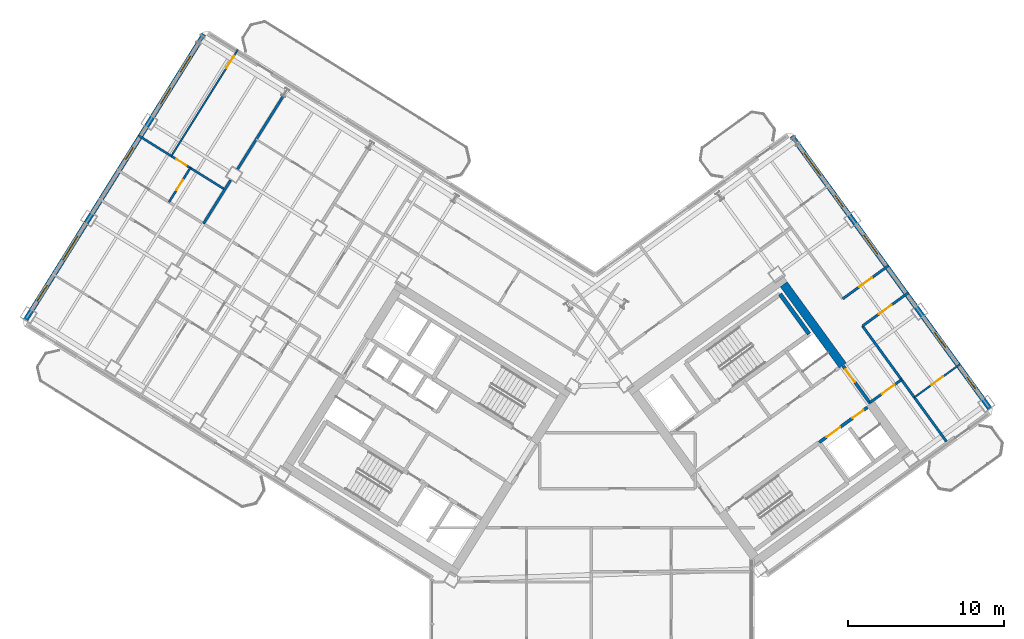
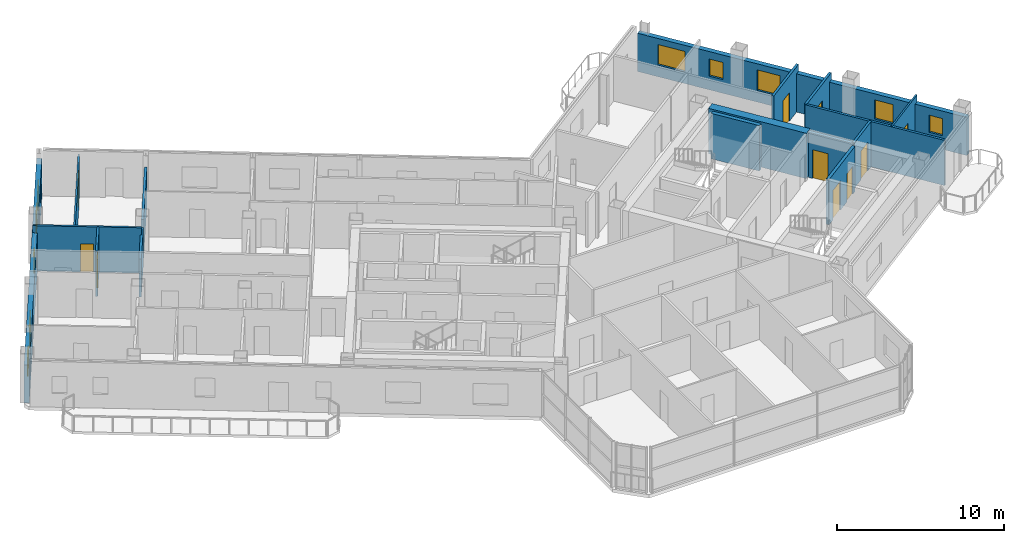
# One storey, part 15 of 21: 16 walls, 10 doors, 10 windows, 20 openings.
"""IFC4 building model written with IfcOpenShell, lengths in metres."""

import ifcopenshell
import ifcopenshell.guid

model = None  # the IFC model being written
_history = None  # IfcOwnerHistory: only IFC2X3 demands one
_inside = {}  # id of a spatial element -> (the spatial element, [elements in it])
_under = {}  # id of a project, library or spatial element -> (it, [spatial elements below it])
_declared = {}  # id of a project -> (the project, [libraries it declares])
_typed = {}  # id of a type object -> (the type object, [elements of that type])
_made_of = {}  # id of a material, layer set ... -> (it, [elements and type objects made of it])


def new_model(schema):
    """Start an empty IFC model of exactly this schema.

    Asked for "IFC4X3", IfcOpenShell would pick the latest addendum, in which some entities
    have other attributes; the version numbers below select the first issue.
    IFC2X3 requires an IfcOwnerHistory on every rooted entity: one is made here for all.
    """
    global model, _history
    if schema == "IFC4X3":
        model = ifcopenshell.file(schema_version=(4, 3, 0, 0))
    else:
        model = ifcopenshell.file(schema=schema)
    _inside.clear()
    _under.clear()
    _declared.clear()
    _typed.clear()
    _made_of.clear()
    _history = None
    if model.schema == "IFC2X3":
        org = make("IfcOrganization", Name="unknown")
        user = make(
            "IfcPersonAndOrganization",
            ThePerson=make("IfcPerson", FamilyName="unknown"),
            TheOrganization=org,
        )
        app = make(
            "IfcApplication",
            ApplicationDeveloper=org,
            Version="unknown",
            ApplicationFullName="unknown",
            ApplicationIdentifier="unknown",
        )
        _history = make(
            "IfcOwnerHistory",
            OwningUser=user,
            OwningApplication=app,
            ChangeAction="ADDED",
            CreationDate=0,
        )
    return model


def make(cls, **values):
    """One entity of the class cls with the attributes given. An attribute that is None is left unset."""
    return model.create_entity(
        cls, **{name: value for name, value in values.items() if value is not None}
    )


def rooted(cls, **values):
    """An entity with a GlobalId (a new one), such as an element, a storey or a relation."""
    return make(cls, GlobalId=ifcopenshell.guid.new(), OwnerHistory=_history, **values)


def si_unit(unit_type, name, prefix=None):
    """IfcSIUnit, for example si_unit("LENGTHUNIT", "METRE", prefix="MILLI")."""
    return make("IfcSIUnit", UnitType=unit_type, Prefix=prefix, Name=name)


def assignment(units):
    """IfcUnitAssignment: the units of a project."""
    return None if units is None else make("IfcUnitAssignment", Units=units)


def point(xyz):
    """IfcCartesianPoint."""
    return None if xyz is None else make("IfcCartesianPoint", Coordinates=xyz)


def direction(xyz):
    """IfcDirection."""
    return None if xyz is None else make("IfcDirection", DirectionRatios=xyz)


def frame(location, z_axis=None, x_axis=None):
    """IfcAxis2Placement3D, a coordinate frame: its origin and axes. An axis left out is left unset."""
    return make(
        "IfcAxis2Placement3D",
        Location=point(location),
        Axis=direction(z_axis),
        RefDirection=direction(x_axis),
    )


def frame_2d(location, x_axis=None):
    """IfcAxis2Placement2D, a coordinate frame in the plane: its origin and x axis."""
    return make(
        "IfcAxis2Placement2D", Location=point(location), RefDirection=direction(x_axis)
    )


def origin():
    """The frame at (0, 0, 0) with its axes left unset."""
    return frame((0.0, 0.0, 0.0))


def place(relative_to, where):
    """IfcLocalPlacement: puts the frame where relative to a parent placement (None: the world)."""
    return make(
        "IfcLocalPlacement", PlacementRelTo=relative_to, RelativePlacement=where
    )


def context(
    kind, dimensions, precision=None, world=None, true_north=None, identifier=None
):
    """IfcGeometricRepresentationContext, for example the 3D "Model" context."""
    return make(
        "IfcGeometricRepresentationContext",
        ContextIdentifier=identifier,
        ContextType=kind,
        CoordinateSpaceDimension=dimensions,
        Precision=precision,
        WorldCoordinateSystem=world,
        TrueNorth=true_north,
    )


def subcontext(parent, identifier, kind, view, scale=None):
    """IfcGeometricRepresentationSubContext, for example "Body" below "Model"."""
    return make(
        "IfcGeometricRepresentationSubContext",
        ContextIdentifier=identifier,
        ContextType=kind,
        ParentContext=parent,
        TargetScale=scale,
        TargetView=view,
    )


def project(units=None, contexts=None):
    """IfcProject with its units and contexts."""
    return rooted(
        "IfcProject",
        Name="project",
        RepresentationContexts=contexts,
        UnitsInContext=assignment(units),
    )


def spatial(cls, under=None, at=None, **own):
    """A site, building, storey or space (cls), placed at a placement, below another one or the project."""
    s = rooted(cls, ObjectPlacement=at, **own)
    if under is not None:
        _under.setdefault(under.id(), (under, []))[1].append(s)
    return s


def profile(cls, at=None, kind="AREA", **sizes):
    """A parametric profile (cls). Its sizes go by their IFC names, for example OverallWidth=200.0."""
    return make(cls, ProfileType=kind, Position=at, **sizes)


def rectangle(**sizes):
    """IfcRectangleProfileDef."""
    return profile("IfcRectangleProfileDef", **sizes)


def extrude(swept, where, along, depth):
    """IfcExtrudedAreaSolid: the profile swept, set in the frame where, extruded along a direction by depth."""
    return make(
        "IfcExtrudedAreaSolid",
        SweptArea=swept,
        Position=where,
        ExtrudedDirection=direction(along),
        Depth=depth,
    )


def shape(context_of_items, identifier, shape_type, items):
    """IfcShapeRepresentation: the items that make up one representation, for example the "Body"."""
    return make(
        "IfcShapeRepresentation",
        ContextOfItems=context_of_items,
        RepresentationIdentifier=identifier,
        RepresentationType=shape_type,
        Items=items,
    )


def source(mapping_origin, context_of_items, identifier, shape_type, items):
    """IfcRepresentationMap: a shape defined once, which mapped items show again and again."""
    return make(
        "IfcRepresentationMap",
        MappingOrigin=mapping_origin,
        MappedRepresentation=shape(context_of_items, identifier, shape_type, items),
    )


def transform(
    local_origin,
    x_axis=None,
    y_axis=None,
    z_axis=None,
    scale=None,
    scale2=None,
    scale3=None,
    uniform=True,
):
    """IfcCartesianTransformationOperator3D, or its non-uniform kind. x_axis, y_axis, z_axis: its Axis1, 2, 3."""
    if uniform:
        return make(
            "IfcCartesianTransformationOperator3D",
            Axis1=direction(x_axis),
            Axis2=direction(y_axis),
            LocalOrigin=point(local_origin),
            Scale=scale,
            Axis3=direction(z_axis),
        )
    return make(
        "IfcCartesianTransformationOperator3DnonUniform",
        Axis1=direction(x_axis),
        Axis2=direction(y_axis),
        LocalOrigin=point(local_origin),
        Scale=scale,
        Axis3=direction(z_axis),
        Scale2=scale2,
        Scale3=scale3,
    )


def mapped(mapping_source, mapping_target):
    """IfcMappedItem: shows the shape of a source again, moved by a transform."""
    return make(
        "IfcMappedItem", MappingSource=mapping_source, MappingTarget=mapping_target
    )


def material(Name=None, Category=None):
    """IfcMaterial."""
    return make("IfcMaterial", Name=Name, Category=Category)


def layer(
    of_material, thickness, ventilated=None, Name=None, Category=None, Priority=None
):
    """IfcMaterialLayer: one layer of a wall or slab, of a material (None: an air gap)."""
    return make(
        "IfcMaterialLayer",
        Material=of_material,
        LayerThickness=thickness,
        IsVentilated=ventilated,
        Name=Name,
        Category=Category,
        Priority=Priority,
    )


def layer_set(layers, Name=None):
    """IfcMaterialLayerSet."""
    return make("IfcMaterialLayerSet", MaterialLayers=layers, LayerSetName=Name)


def made_of(thing, what):
    """Note that an element or type object is made of a material, layer set ...; save() writes the relation."""
    if what is not None:
        _made_of.setdefault(what.id(), (what, []))[1].append(thing)
    return thing


def type_object(cls, material=None, **own):
    """A type object (cls), such as IfcWallType, which elements share."""
    return made_of(rooted(cls, **own), material)


def element(
    cls,
    number,
    at=None,
    inside=None,
    cuts=None,
    type_object=None,
    material=None,
    context=None,
    identifier="Body",
    shape_type=None,
    held_by="IfcProductDefinitionShape",
    body=None,
    shapes=None,
    **own,
):
    """One element of the class cls, such as IfcWall. Its Tag is "e" and its number.

    at: its placement. inside: the storey or other place that contains it. cuts: it is an
    opening in that element (IfcRelVoidsElement). A single representation is given by context,
    identifier, shape_type and body (its items); several are given by shapes. held_by: the class
    of the entity that holds the representations. save() writes the other relations.
    """
    e = rooted(cls, Tag="e%d" % number, ObjectPlacement=at, **own)
    if body is not None:
        shapes = [shape(context, identifier, shape_type, body)]
    if shapes is not None:
        e.Representation = make(held_by, Representations=shapes)
    if inside is not None:
        _inside.setdefault(inside.id(), (inside, []))[1].append(e)
    if cuts is not None:
        rooted(
            "IfcRelVoidsElement", RelatingBuildingElement=cuts, RelatedOpeningElement=e
        )
    if type_object is not None:
        _typed.setdefault(type_object.id(), (type_object, []))[1].append(e)
    return made_of(e, material)


def fill(opening, filler):
    """IfcRelFillsElement: the door or window that sits in an opening."""
    return rooted(
        "IfcRelFillsElement",
        RelatingOpeningElement=opening,
        RelatedBuildingElement=filler,
    )


def aggregate(whole, parts):
    """IfcRelAggregates: a whole, such as a stair, and the parts it consists of."""
    return rooted("IfcRelAggregates", RelatingObject=whole, RelatedObjects=parts)


def save(model, path):
    """Write the relations noted so far, then the file.

    IfcRelAggregates (storeys below a building ...), IfcRelContainedInSpatialStructure (elements
    in a storey), IfcRelDefinesByType, IfcRelAssociatesMaterial and IfcRelDeclares: one each for
    every whole, place, type object, material and project.
    """
    for whole, parts in _under.values():
        aggregate(whole, parts)
    for where, things in _inside.values():
        rooted(
            "IfcRelContainedInSpatialStructure",
            RelatedElements=things,
            RelatingStructure=where,
        )
    for kind, things in _typed.values():
        rooted("IfcRelDefinesByType", RelatedObjects=things, RelatingType=kind)
    for what, things in _made_of.values():
        rooted("IfcRelAssociatesMaterial", RelatedObjects=things, RelatingMaterial=what)
    for by, libraries in _declared.values():
        rooted("IfcRelDeclares", RelatingContext=by, RelatedDefinitions=libraries)
    model.write(path)


model = new_model("IFC4")

# Units and contexts
model_context = context("Model", 3, precision=1e-05, world=origin(), true_north=direction((0.0, 1.0)))
body_context = subcontext(model_context, "Body", "Model", "MODEL_VIEW")
ifc_project = project(units=[si_unit("LENGTHUNIT", "METRE"), si_unit("AREAUNIT", "SQUARE_METRE"), si_unit("VOLUMEUNIT", "CUBIC_METRE"), si_unit("PLANEANGLEUNIT", "RADIAN"), si_unit("MASSUNIT", "GRAM", prefix="KILO")], contexts=[model_context])

# Site, building, storey
site_placement = place(None, origin())
site = spatial("IfcSite", under=ifc_project, at=site_placement, CompositionType="ELEMENT")
building_placement = place(site_placement, origin())
building = spatial("IfcBuilding", under=site, at=building_placement, Name="Tlacorven Tower", CompositionType="ELEMENT")
storey_placement = place(building_placement, frame((0.0, 0.0, 191.39990234375)))
storey = spatial("IfcBuildingStorey", under=building, at=storey_placement, Name="L48", CompositionType="ELEMENT", Elevation=191.39990234375)

# Walls
ifc_material_1 = material(Name="Concrete C60/75", Category="concrete")
ifc_layer_1 = layer(ifc_material_1, 0.550048828125)
ifc_layer_set_1 = layer_set([ifc_layer_1], Name="Concrete C60/75")
wall_type_1 = type_object("IfcWallType", Name="WL-COR-550", PredefinedType="SHEAR", material=ifc_layer_set_1)
wall_1_placement = place(storey_placement, frame((58.06396484375, 25.8134765625, 0.0), z_axis=(0.0, 0.0, 1.0), x_axis=(-0.587764933797, 0.809031756236, 0.0)))
element("IfcWall", 1, at=wall_1_placement, inside=storey, type_object=wall_type_1, Name="L48 E core end wall E2.2", PredefinedType="SHEAR", context=body_context, shape_type="SweptSolid", body=[
    extrude(rectangle(XDim=6.425048828125, YDim=0.550048828125, at=frame_2d((3.21240234375, 0.0))), origin(), (0.0, 0.0, 1.0), 3.320068359375),
])
ifc_material_2 = material(Name="Gypsum plasterboard acoustic partition", Category="gypsum")
ifc_layer_2 = layer(ifc_material_2, 0.159912109375)
ifc_layer_set_2 = layer_set([ifc_layer_2], Name="Gypsum plasterboard acoustic partition")
wall_type_2 = type_object("IfcWallType", Name="WL-DEM-160", PredefinedType="PARTITIONING", material=ifc_layer_set_2)
wall_2_placement = place(storey_placement, frame((22.206298828125, 43.048828125, 0.0), z_axis=(0.0, 0.0, 1.0), x_axis=(-0.529919150083, -0.848048167486, 0.0)))
element("IfcWall", 2, at=wall_2_placement, inside=storey, type_object=wall_type_2, Name="L48 WS Demising Wall 2", PredefinedType="PARTITIONING", context=body_context, shape_type="SweptSolid", body=[
    extrude(rectangle(XDim=5.5009765625, YDim=0.159912109375, at=frame_2d((2.75048828125, 0.0))), origin(), (0.0, 0.0, 1.0), 2.795166015625),
])
wall_3_placement = place(storey_placement, frame((18.8544921875, 37.684814453125, 0.0), z_axis=(0.0, 0.0, 1.0), x_axis=(-0.529885466561, -0.848069214349, 0.0)))
element("IfcWall", 3, at=wall_3_placement, inside=storey, type_object=wall_type_2, Name="L48 WS Demising Wall 2", PredefinedType="PARTITIONING", context=body_context, shape_type="SweptSolid", body=[
    extrude(rectangle(XDim=3.287841796875, YDim=0.159912109375, at=frame_2d((1.64404296875, 0.0))), origin(), (0.0, 0.0, 1.0), 2.795166015625),
])

# Wall, opening, door
wall_4_placement = place(storey_placement, frame((59.7978515625, 23.427001953125, 0.0), z_axis=(0.0, 0.0, 1.0), x_axis=(0.809034604122, 0.587761013791, 0.0)))
wall_4 = element("IfcWall", 4, at=wall_4_placement, inside=storey, type_object=wall_type_2, Name="L48 partition 87", PredefinedType="PARTITIONING", context=body_context, shape_type="SweptSolid", body=[
    extrude(rectangle(XDim=2.510009765625, YDim=0.159912109375, at=frame_2d((1.2548828125, 0.0))), origin(), (0.0, 0.0, 1.0), 3.31005859375),
])
opening_1_placement = place(wall_4_placement, frame((0.949951171875, 0.0, 0.0)))
opening_1 = element("IfcOpeningElement", 5, at=opening_1_placement, cuts=wall_4, Name="Opening D11", PredefinedType="OPENING", context=body_context, shape_type="SweptSolid", body=[
    extrude(rectangle(XDim=1.0, YDim=2.10009765625, at=frame_2d((0.5, 1.050048828125))), frame((0.0, 0.08984375, 0.0), z_axis=(0.0, -1.0, 0.0), x_axis=(1.0, 0.0, 0.0)), (0.0, 0.0, 1.0), 0.179931640625),
])
ifc_material_3 = material(Name="Fire-rated steel door assembly", Category="steel")
door_type_1 = type_object("IfcDoorType", Name="DR-FLT-FD60-1000", OperationType="NOTDEFINED", PredefinedType="DOOR", material=ifc_material_3)
shared_shape_1 = source(origin(), body_context, "Body", "SweptSolid", [
    extrude(rectangle(XDim=1.0, YDim=2.10009765625, at=frame_2d((0.5, 1.050048828125))), frame((0.0, 0.02490234375, 0.0), z_axis=(0.0, -1.0, 0.0), x_axis=(1.0, 0.0, 0.0)), (0.0, 0.0, 1.0), 0.050048828125),
])
door_1_placement = place(opening_1_placement, frame((1.0, 0.0, 0.0), z_axis=(0.0, 0.0, 1.0), x_axis=(-1.0, 0.0, 0.0)))
door_1 = element("IfcDoor", 6, at=door_1_placement, inside=storey, type_object=door_type_1, Name="L48 door 056", OperationType="SINGLE_SWING_LEFT", OverallHeight=2.10009765625, OverallWidth=1.0, PredefinedType="DOOR", context=body_context, shape_type="MappedRepresentation", body=[
    mapped(shared_shape_1, transform((0.0, 0.0, 0.0), scale=1.0)),
])
fill(opening_1, door_1)

# Wall
wall_5_placement = place(storey_placement, frame((64.708740234375, 20.93798828125, 0.0), z_axis=(0.0, 0.0, 1.0), x_axis=(-0.587776590479, 0.80902328748, 0.0)))
element("IfcWall", 7, at=wall_5_placement, inside=storey, type_object=wall_type_2, Name="L48 partition 89", PredefinedType="PARTITIONING", context=body_context, shape_type="SweptSolid", body=[
    extrude(rectangle(XDim=9.150146484375, YDim=0.159912109375, at=frame_2d((4.5751953125, 0.0))), origin(), (0.0, 0.0, 1.0), 3.31005859375),
])

# Wall, opening, door
wall_6_placement = place(storey_placement, frame((59.33056640625, 28.340576171875, 0.0), z_axis=(0.0, 0.0, 1.0), x_axis=(0.809003564202, 0.587803736896, 0.0)))
wall_6 = element("IfcWall", 8, at=wall_6_placement, inside=storey, type_object=wall_type_2, Name="L48 partition 92", PredefinedType="PARTITIONING", context=body_context, shape_type="SweptSolid", body=[
    extrude(rectangle(XDim=3.630126953125, YDim=0.159912109375, at=frame_2d((1.81494140625, 0.0))), origin(), (0.0, 0.0, 1.0), 3.31005859375),
])
opening_2_placement = place(wall_6_placement, frame((1.304931640625, 0.0, 0.0)))
opening_2 = element("IfcOpeningElement", 9, at=opening_2_placement, cuts=wall_6, Name="Opening D11", PredefinedType="OPENING", context=body_context, shape_type="SweptSolid", body=[
    extrude(rectangle(XDim=1.0, YDim=2.10009765625, at=frame_2d((0.5, 1.050048828125))), frame((0.0, 0.08984375, 0.0), z_axis=(0.0, -1.0, 0.0), x_axis=(1.0, 0.0, 0.0)), (0.0, 0.0, 1.0), 0.179931640625),
])
door_2_placement = place(opening_2_placement, origin())
door_2 = element("IfcDoor", 10, at=door_2_placement, inside=storey, type_object=door_type_1, Name="L48 door 060", OperationType="SINGLE_SWING_LEFT", OverallHeight=2.10009765625, OverallWidth=1.0, PredefinedType="DOOR", context=body_context, shape_type="MappedRepresentation", body=[
    mapped(shared_shape_1, transform((0.0, 0.0, 0.0), scale=1.0)),
])
fill(opening_2, door_2)

wall_7_placement = place(storey_placement, frame((58.06689453125, 30.080078125, 0.0), z_axis=(0.0, 0.0, 1.0), x_axis=(0.809012309495, 0.587791700422, 0.0)))
wall_7 = element("IfcWall", 11, at=wall_7_placement, inside=storey, type_object=wall_type_2, Name="L48 partition 93", PredefinedType="PARTITIONING", context=body_context, shape_type="SweptSolid", body=[
    extrude(rectangle(XDim=3.6298828125, YDim=0.159912109375, at=frame_2d((1.81494140625, 0.0))), origin(), (0.0, 0.0, 1.0), 3.31005859375),
])
opening_3_placement = place(wall_7_placement, frame((1.304931640625, 0.0, 0.0)))
opening_3 = element("IfcOpeningElement", 12, at=opening_3_placement, cuts=wall_7, Name="Opening D11", PredefinedType="OPENING", context=body_context, shape_type="SweptSolid", body=[
    extrude(rectangle(XDim=1.0, YDim=2.10009765625, at=frame_2d((0.5, 1.050048828125))), frame((0.0, 0.08984375, 0.0), z_axis=(0.0, -1.0, 0.0), x_axis=(1.0, 0.0, 0.0)), (0.0, 0.0, 1.0), 0.179931640625),
])
door_3_placement = place(opening_3_placement, origin())
door_3 = element("IfcDoor", 13, at=door_3_placement, inside=storey, type_object=door_type_1, Name="L48 door 058", OperationType="SINGLE_SWING_LEFT", OverallHeight=2.10009765625, OverallWidth=1.0, PredefinedType="DOOR", context=body_context, shape_type="MappedRepresentation", body=[
    mapped(shared_shape_1, transform((0.0, 0.0, 0.0), scale=1.0)),
])
fill(opening_3, door_3)

# Wall, openings, windows
ifc_material_4 = material(Name="Precast concrete C45/55", Category="concrete")
ifc_layer_3 = layer(ifc_material_4, 0.320068359375)
ifc_layer_set_3 = layer_set([ifc_layer_3], Name="Precast concrete C45/55")
wall_type_3 = type_object("IfcWallType", Name="WL-EXT-320", PredefinedType="STANDARD", material=ifc_layer_set_3)
wall_8_placement = place(storey_placement, frame((5.699951171875, 28.71044921875, 0.0), z_axis=(0.0, 0.0, 1.0), x_axis=(0.529923711467, 0.8480453172, 0.0)))
wall_8 = element("IfcWall", 14, at=wall_8_placement, inside=storey, type_object=wall_type_3, Name="L48 Masonry-Frame Recessed Facade Wall 2", PredefinedType="STANDARD", context=body_context, shape_type="SweptSolid", body=[
    extrude(rectangle(XDim=21.58740234375, YDim=0.320068359375, at=frame_2d((10.793701171875, 0.0))), origin(), (0.0, 0.0, 1.0), 2.795166015625),
])
opening_4_placement = place(wall_8_placement, frame((1.440185546875, 0.0, 0.949951171875)))
opening_4 = element("IfcOpeningElement", 15, at=opening_4_placement, cuts=wall_8, Name="Opening WN03", PredefinedType="OPENING", context=body_context, shape_type="SweptSolid", body=[
    extrude(rectangle(XDim=1.199951171875, YDim=1.39990234375, at=frame_2d((0.60009765625, 0.699951171875))), frame((0.0, 0.169921875, 0.0), z_axis=(0.0, -1.0, 0.0), x_axis=(1.0, 0.0, 0.0)), (0.0, 0.0, 1.0), 0.340087890625),
])
opening_5_placement = place(wall_8_placement, frame((4.545166015625, 0.0, 0.85009765625)))
opening_5 = element("IfcOpeningElement", 16, at=opening_5_placement, cuts=wall_8, Name="Opening WN01", PredefinedType="OPENING", context=body_context, shape_type="SweptSolid", body=[
    extrude(rectangle(XDim=1.800048828125, YDim=1.5, at=frame_2d((0.89990234375, 0.75))), frame((0.0, 0.169921875, 0.0), z_axis=(0.0, -1.0, 0.0), x_axis=(1.0, 0.0, 0.0)), (0.0, 0.0, 1.0), 0.340087890625),
])
opening_6_placement = place(wall_8_placement, frame((12.138671875, 0.0, 1.0)))
opening_6 = element("IfcOpeningElement", 17, at=opening_6_placement, cuts=wall_8, Name="Opening WN05", PredefinedType="OPENING", context=body_context, shape_type="SweptSolid", body=[
    extrude(rectangle(XDim=0.89990234375, YDim=1.25, at=frame_2d((0.449951171875, 0.625))), frame((0.0, 0.169921875, 0.0), z_axis=(0.0, -1.0, 0.0), x_axis=(1.0, 0.0, 0.0)), (0.0, 0.0, 1.0), 0.340087890625),
])
opening_7_placement = place(wall_8_placement, frame((16.35009765625, 0.0, 0.949951171875)))
opening_7 = element("IfcOpeningElement", 18, at=opening_7_placement, cuts=wall_8, Name="Opening WN03", PredefinedType="OPENING", context=body_context, shape_type="SweptSolid", body=[
    extrude(rectangle(XDim=1.199951171875, YDim=1.39990234375, at=frame_2d((0.60009765625, 0.699951171875))), frame((0.0, 0.169921875, 0.0), z_axis=(0.0, -1.0, 0.0), x_axis=(1.0, 0.0, 0.0)), (0.0, 0.0, 1.0), 0.340087890625),
])
opening_8_placement = place(wall_8_placement, frame((18.762451171875, 0.0, 0.949951171875)))
opening_8 = element("IfcOpeningElement", 19, at=opening_8_placement, cuts=wall_8, Name="Opening WN03", PredefinedType="OPENING", context=body_context, shape_type="SweptSolid", body=[
    extrude(rectangle(XDim=1.199951171875, YDim=1.39990234375, at=frame_2d((0.60009765625, 0.699951171875))), frame((0.0, 0.169921875, 0.0), z_axis=(0.0, -1.0, 0.0), x_axis=(1.0, 0.0, 0.0)), (0.0, 0.0, 1.0), 0.340087890625),
])
ifc_material_5 = material(Name="Dark solar low-E double glazing in anodised aluminium frame", Category="aluminium")
window_type_1 = type_object("IfcWindowType", Name="WN-APT-1200X1500", PartitioningType="SINGLE_PANEL", PredefinedType="WINDOW", material=ifc_material_5)
shared_shape_2 = source(origin(), body_context, "Body", "SweptSolid", [
    extrude(rectangle(XDim=1.199951171875, YDim=1.39990234375, at=frame_2d((0.60009765625, 0.699951171875))), frame((0.0, 0.030029296875, 0.0), z_axis=(0.0, -1.0, 0.0), x_axis=(1.0, 0.0, 0.0)), (0.0, 0.0, 1.0), 0.06005859375),
])
window_1_placement = place(opening_4_placement, origin())
window_1 = element("IfcWindow", 20, at=window_1_placement, inside=storey, type_object=window_type_1, Name="L48 Recessed Masonry-Frame Window L48-02.1", OverallHeight=1.39990234375, OverallWidth=1.199951171875, PartitioningType="SINGLE_PANEL", PredefinedType="WINDOW", context=body_context, shape_type="MappedRepresentation", body=[
    mapped(shared_shape_2, transform((0.0, 0.0, 0.0), scale=1.0)),
])
fill(opening_4, window_1)
window_2_placement = place(opening_7_placement, origin())
window_2 = element("IfcWindow", 21, at=window_2_placement, inside=storey, type_object=window_type_1, Name="L48 Recessed Masonry-Frame Window L48-02.4", OverallHeight=1.39990234375, OverallWidth=1.199951171875, PartitioningType="SINGLE_PANEL", PredefinedType="WINDOW", context=body_context, shape_type="MappedRepresentation", body=[
    mapped(shared_shape_2, transform((0.0, 0.0, 0.0), scale=1.0)),
])
fill(opening_7, window_2)
window_3_placement = place(opening_8_placement, origin())
window_3 = element("IfcWindow", 22, at=window_3_placement, inside=storey, type_object=window_type_1, Name="L48 Recessed Masonry-Frame Window L48-02.5", OverallHeight=1.39990234375, OverallWidth=1.199951171875, PartitioningType="SINGLE_PANEL", PredefinedType="WINDOW", context=body_context, shape_type="MappedRepresentation", body=[
    mapped(shared_shape_2, transform((0.0, 0.0, 0.0), scale=1.0)),
])
fill(opening_8, window_3)
window_type_2 = type_object("IfcWindowType", Name="WN-APT-1800X1650", PartitioningType="SINGLE_PANEL", PredefinedType="WINDOW", material=ifc_material_5)
shared_shape_3 = source(origin(), body_context, "Body", "SweptSolid", [
    extrude(rectangle(XDim=1.800048828125, YDim=1.5, at=frame_2d((0.89990234375, 0.75))), frame((0.0, 0.030029296875, 0.0), z_axis=(0.0, -1.0, 0.0), x_axis=(1.0, 0.0, 0.0)), (0.0, 0.0, 1.0), 0.06005859375),
])
window_4_placement = place(opening_5_placement, origin())
window_4 = element("IfcWindow", 23, at=window_4_placement, inside=storey, type_object=window_type_2, Name="L48 Recessed Masonry-Frame Window L48-02.2", OverallHeight=1.5, OverallWidth=1.800048828125, PartitioningType="SINGLE_PANEL", PredefinedType="WINDOW", context=body_context, shape_type="MappedRepresentation", body=[
    mapped(shared_shape_3, transform((0.0, 0.0, 0.0), scale=1.0)),
])
fill(opening_5, window_4)
window_type_3 = type_object("IfcWindowType", Name="WN-APT-0900X1350", PartitioningType="SINGLE_PANEL", PredefinedType="WINDOW", material=ifc_material_5)
shared_shape_4 = source(origin(), body_context, "Body", "SweptSolid", [
    extrude(rectangle(XDim=0.89990234375, YDim=1.25, at=frame_2d((0.449951171875, 0.625))), frame((0.0, 0.030029296875, 0.0), z_axis=(0.0, -1.0, 0.0), x_axis=(1.0, 0.0, 0.0)), (0.0, 0.0, 1.0), 0.06005859375),
])
window_5_placement = place(opening_6_placement, origin())
window_5 = element("IfcWindow", 24, at=window_5_placement, inside=storey, type_object=window_type_3, Name="L48 Recessed Masonry-Frame Window L48-02.3", OverallHeight=1.25, OverallWidth=0.89990234375, PartitioningType="SINGLE_PANEL", PredefinedType="WINDOW", context=body_context, shape_type="MappedRepresentation", body=[
    mapped(shared_shape_4, transform((0.0, 0.0, 0.0), scale=1.0)),
])
fill(opening_6, window_5)

wall_9_placement = place(storey_placement, frame((54.810302734375, 40.49951171875, 0.0), z_axis=(0.0, 0.0, 1.0), x_axis=(0.587783625747, -0.809018176127, 0.0)))
wall_9 = element("IfcWall", 25, at=wall_9_placement, inside=storey, type_object=wall_type_3, Name="L48 Masonry-Frame Recessed Facade Wall 5", PredefinedType="STANDARD", context=body_context, shape_type="SweptSolid", body=[
    extrude(rectangle(XDim=21.58740234375, YDim=0.320068359375, at=frame_2d((10.793701171875, 0.0))), origin(), (0.0, 0.0, 1.0), 2.795166015625),
])
opening_9_placement = place(wall_9_placement, frame((1.32763671875, 0.0, 0.85009765625)))
opening_9 = element("IfcOpeningElement", 26, at=opening_9_placement, cuts=wall_9, Name="Opening WN01", PredefinedType="OPENING", context=body_context, shape_type="SweptSolid", body=[
    extrude(rectangle(XDim=1.800048828125, YDim=1.5, at=frame_2d((0.89990234375, 0.75))), frame((0.0, 0.169921875, 0.0), z_axis=(0.0, -1.0, 0.0), x_axis=(1.0, 0.0, 0.0)), (0.0, 0.0, 1.0), 0.340087890625),
])
opening_10_placement = place(wall_9_placement, frame((4.6953125, 0.0, 1.0)))
opening_10 = element("IfcOpeningElement", 27, at=opening_10_placement, cuts=wall_9, Name="Opening WN05", PredefinedType="OPENING", context=body_context, shape_type="SweptSolid", body=[
    extrude(rectangle(XDim=0.89990234375, YDim=1.25, at=frame_2d((0.449951171875, 0.625))), frame((0.0, 0.169921875, 0.0), z_axis=(0.0, -1.0, 0.0), x_axis=(1.0, 0.0, 0.0)), (0.0, 0.0, 1.0), 0.340087890625),
])
opening_11_placement = place(wall_9_placement, frame((7.82861328125, 0.0, 0.85009765625)))
opening_11 = element("IfcOpeningElement", 28, at=opening_11_placement, cuts=wall_9, Name="Opening WN02", PredefinedType="OPENING", context=body_context, shape_type="SweptSolid", body=[
    extrude(rectangle(XDim=1.5, YDim=1.5, at=frame_2d((0.75, 0.75))), frame((0.0, 0.169921875, 0.0), z_axis=(0.0, -1.0, 0.0), x_axis=(1.0, 0.0, 0.0)), (0.0, 0.0, 1.0), 0.340087890625),
])
opening_12_placement = place(wall_9_placement, frame((15.542236328125, 0.0, 0.949951171875)))
opening_12 = element("IfcOpeningElement", 29, at=opening_12_placement, cuts=wall_9, Name="Opening WN03", PredefinedType="OPENING", context=body_context, shape_type="SweptSolid", body=[
    extrude(rectangle(XDim=1.199951171875, YDim=1.39990234375, at=frame_2d((0.60009765625, 0.699951171875))), frame((0.0, 0.169921875, 0.0), z_axis=(0.0, -1.0, 0.0), x_axis=(1.0, 0.0, 0.0)), (0.0, 0.0, 1.0), 0.340087890625),
])
opening_13_placement = place(wall_9_placement, frame((19.09716796875, 0.0, 1.0)))
opening_13 = element("IfcOpeningElement", 30, at=opening_13_placement, cuts=wall_9, Name="Opening WN05", PredefinedType="OPENING", context=body_context, shape_type="SweptSolid", body=[
    extrude(rectangle(XDim=0.89990234375, YDim=1.25, at=frame_2d((0.449951171875, 0.625))), frame((0.0, 0.169921875, 0.0), z_axis=(0.0, -1.0, 0.0), x_axis=(1.0, 0.0, 0.0)), (0.0, 0.0, 1.0), 0.340087890625),
])
window_6_placement = place(opening_12_placement, origin())
window_6 = element("IfcWindow", 31, at=window_6_placement, inside=storey, type_object=window_type_1, Name="L48 Recessed Masonry-Frame Window L48-05.4", OverallHeight=1.39990234375, OverallWidth=1.199951171875, PartitioningType="SINGLE_PANEL", PredefinedType="WINDOW", context=body_context, shape_type="MappedRepresentation", body=[
    mapped(shared_shape_2, transform((0.0, 0.0, 0.0), scale=1.0)),
])
fill(opening_12, window_6)
window_7_placement = place(opening_9_placement, origin())
window_7 = element("IfcWindow", 32, at=window_7_placement, inside=storey, type_object=window_type_2, Name="L48 Recessed Masonry-Frame Window L48-05.1", OverallHeight=1.5, OverallWidth=1.800048828125, PartitioningType="SINGLE_PANEL", PredefinedType="WINDOW", context=body_context, shape_type="MappedRepresentation", body=[
    mapped(shared_shape_3, transform((0.0, 0.0, 0.0), scale=1.0)),
])
fill(opening_9, window_7)
window_type_4 = type_object("IfcWindowType", Name="WN-APT-1500X1650", PartitioningType="SINGLE_PANEL", PredefinedType="WINDOW", material=ifc_material_5)
shared_shape_5 = source(origin(), body_context, "Body", "SweptSolid", [
    extrude(rectangle(XDim=1.5, YDim=1.5, at=frame_2d((0.75, 0.75))), frame((0.0, 0.030029296875, 0.0), z_axis=(0.0, -1.0, 0.0), x_axis=(1.0, 0.0, 0.0)), (0.0, 0.0, 1.0), 0.06005859375),
])
window_8_placement = place(opening_11_placement, origin())
window_8 = element("IfcWindow", 33, at=window_8_placement, inside=storey, type_object=window_type_4, Name="L48 Recessed Masonry-Frame Window L48-05.3", OverallHeight=1.5, OverallWidth=1.5, PartitioningType="SINGLE_PANEL", PredefinedType="WINDOW", context=body_context, shape_type="MappedRepresentation", body=[
    mapped(shared_shape_5, transform((0.0, 0.0, 0.0), scale=1.0)),
])
fill(opening_11, window_8)
window_9_placement = place(opening_10_placement, origin())
window_9 = element("IfcWindow", 34, at=window_9_placement, inside=storey, type_object=window_type_3, Name="L48 Recessed Masonry-Frame Window L48-05.2", OverallHeight=1.25, OverallWidth=0.89990234375, PartitioningType="SINGLE_PANEL", PredefinedType="WINDOW", context=body_context, shape_type="MappedRepresentation", body=[
    mapped(shared_shape_4, transform((0.0, 0.0, 0.0), scale=1.0)),
])
fill(opening_10, window_9)
window_10_placement = place(opening_13_placement, origin())
window_10 = element("IfcWindow", 35, at=window_10_placement, inside=storey, type_object=window_type_3, Name="L48 Recessed Masonry-Frame Window L48-05.5", OverallHeight=1.25, OverallWidth=0.89990234375, PartitioningType="SINGLE_PANEL", PredefinedType="WINDOW", context=body_context, shape_type="MappedRepresentation", body=[
    mapped(shared_shape_4, transform((0.0, 0.0, 0.0), scale=1.0)),
])
fill(opening_13, window_10)

# Wall, opening, door
ifc_material_6 = material(Name="Gypsum plasterboard partition", Category="gypsum")
ifc_layer_4 = layer(ifc_material_6, 0.110107421875)
ifc_layer_set_4 = layer_set([ifc_layer_4], Name="Gypsum plasterboard partition")
wall_type_4 = type_object("IfcWallType", Name="WL-INT-110", PredefinedType="PARTITIONING", material=ifc_layer_set_4)
wall_10_placement = place(storey_placement, frame((19.312255859375, 46.044677734375, 0.0), z_axis=(0.0, 0.0, 1.0), x_axis=(-0.529933431478, -0.848039243315, 0.0)))
wall_10 = element("IfcWall", 36, at=wall_10_placement, inside=storey, type_object=wall_type_4, Name="L48 partition 65", PredefinedType="PARTITIONING", context=body_context, shape_type="SweptSolid", body=[
    extrude(rectangle(XDim=8.0400390625, YDim=0.110107421875, at=frame_2d((4.02001953125, 0.0))), origin(), (0.0, 0.0, 1.0), 2.93505859375),
])
opening_14_placement = place(wall_10_placement, frame((0.469970703125, 0.0, 0.0)))
opening_14 = element("IfcOpeningElement", 37, at=opening_14_placement, cuts=wall_10, Name="Opening D12", PredefinedType="OPENING", context=body_context, shape_type="SweptSolid", body=[
    extrude(rectangle(XDim=0.919921875, YDim=2.080078125, at=frame_2d((0.4599609375, 1.0400390625))), frame((0.0, 0.06494140625, 0.0), z_axis=(0.0, -1.0, 0.0), x_axis=(1.0, 0.0, 0.0)), (0.0, 0.0, 1.0), 0.130126953125),
])
ifc_material_7 = material(Name="Powder-coated aluminium and timber door", Category="wood")
door_type_2 = type_object("IfcDoorType", Name="DR-INT-ROOM-0920", OperationType="NOTDEFINED", PredefinedType="DOOR", material=ifc_material_7)
shared_shape_6 = source(origin(), body_context, "Body", "SweptSolid", [
    extrude(rectangle(XDim=0.919921875, YDim=2.080078125, at=frame_2d((0.4599609375, 1.0400390625))), frame((0.0, 0.02490234375, 0.0), z_axis=(0.0, -1.0, 0.0), x_axis=(1.0, 0.0, 0.0)), (0.0, 0.0, 1.0), 0.050048828125),
])
door_4_placement = place(opening_14_placement, origin())
door_4 = element("IfcDoor", 38, at=door_4_placement, inside=storey, type_object=door_type_2, Name="L48 door 036", OperationType="SINGLE_SWING_LEFT", OverallHeight=2.080078125, OverallWidth=0.919921875, PredefinedType="DOOR", context=body_context, shape_type="MappedRepresentation", body=[
    mapped(shared_shape_6, transform((0.0, 0.0, 0.0), scale=1.0)),
])
fill(opening_14, door_4)

wall_11_placement = place(storey_placement, frame((62.652587890625, 23.76806640625, 0.0), z_axis=(0.0, 0.0, 1.0), x_axis=(0.809037198293, 0.58775744298, 0.0)))
wall_11 = element("IfcWall", 39, at=wall_11_placement, inside=storey, type_object=wall_type_4, Name="L48 partition 95", PredefinedType="PARTITIONING", context=body_context, shape_type="SweptSolid", body=[
    extrude(rectangle(XDim=3.610107421875, YDim=0.110107421875, at=frame_2d((1.80517578125, 0.0))), origin(), (0.0, 0.0, 1.0), 3.31005859375),
])
opening_15_placement = place(wall_11_placement, frame((1.344970703125, 0.0, 0.0)))
opening_15 = element("IfcOpeningElement", 40, at=opening_15_placement, cuts=wall_11, Name="Opening D12", PredefinedType="OPENING", context=body_context, shape_type="SweptSolid", body=[
    extrude(rectangle(XDim=0.919921875, YDim=2.080078125, at=frame_2d((0.4599609375, 1.0400390625))), frame((0.0, 0.06494140625, 0.0), z_axis=(0.0, -1.0, 0.0), x_axis=(1.0, 0.0, 0.0)), (0.0, 0.0, 1.0), 0.130126953125),
])
door_5_placement = place(opening_15_placement, origin())
door_5 = element("IfcDoor", 41, at=door_5_placement, inside=storey, type_object=door_type_2, Name="L48 door 061", OperationType="SINGLE_SWING_RIGHT", OverallHeight=2.080078125, OverallWidth=0.919921875, PredefinedType="DOOR", context=body_context, shape_type="MappedRepresentation", body=[
    mapped(shared_shape_6, transform((0.0, 0.0, 0.0), scale=1.0)),
])
fill(opening_15, door_5)

ifc_material_8 = material(Name="Moisture-resistant gypsum plumbing wall", Category="gypsum")
ifc_layer_5 = layer(ifc_material_8, 0.139892578125)
ifc_layer_set_5 = layer_set([ifc_layer_5], Name="Moisture-resistant gypsum plumbing wall")
wall_type_5 = type_object("IfcWallType", Name="WL-PLM-140", PredefinedType="PLUMBINGWALL", material=ifc_layer_set_5)
wall_12_placement = place(storey_placement, frame((18.4794921875, 37.08447265625, 0.0), z_axis=(0.0, 0.0, 1.0), x_axis=(-0.848048787466, 0.529918157905, 0.0)))
wall_12 = element("IfcWall", 42, at=wall_12_placement, inside=storey, type_object=wall_type_5, Name="L48 partition 63", PredefinedType="PLUMBINGWALL", context=body_context, shape_type="SweptSolid", body=[
    extrude(rectangle(XDim=6.52001953125, YDim=0.139892578125, at=frame_2d((3.260009765625, 0.0))), origin(), (0.0, 0.0, 1.0), 3.31005859375),
])
opening_16_placement = place(wall_12_placement, frame((2.885009765625, 0.0, 0.0)))
opening_16 = element("IfcOpeningElement", 43, at=opening_16_placement, cuts=wall_12, Name="Opening D22", PredefinedType="OPENING", context=body_context, shape_type="SweptSolid", body=[
    extrude(rectangle(XDim=0.780029296875, YDim=2.050048828125, at=frame_2d((0.39013671875, 1.02490234375))), frame((0.0, 0.080078125, 0.0), z_axis=(0.0, -1.0, 0.0), x_axis=(1.0, 0.0, 0.0)), (0.0, 0.0, 1.0), 0.159912109375),
])
door_type_3 = type_object("IfcDoorType", Name="DR-INT-WET-0780", OperationType="NOTDEFINED", PredefinedType="DOOR", material=ifc_material_7)
shared_shape_7 = source(origin(), body_context, "Body", "SweptSolid", [
    extrude(rectangle(XDim=0.780029296875, YDim=2.050048828125, at=frame_2d((0.39013671875, 1.02490234375))), frame((0.0, 0.02490234375, 0.0), z_axis=(0.0, -1.0, 0.0), x_axis=(1.0, 0.0, 0.0)), (0.0, 0.0, 1.0), 0.050048828125),
])
door_6_placement = place(opening_16_placement, origin())
door_6 = element("IfcDoor", 44, at=door_6_placement, inside=storey, type_object=door_type_3, Name="L48 door 038", OperationType="SINGLE_SWING_LEFT", OverallHeight=2.050048828125, OverallWidth=0.780029296875, PredefinedType="DOOR", context=body_context, shape_type="MappedRepresentation", body=[
    mapped(shared_shape_7, transform((0.0, 0.0, 0.0), scale=1.0)),
])
fill(opening_16, door_6)

wall_13_placement = place(storey_placement, frame((16.267822265625, 38.466552734375, 0.0), z_axis=(0.0, 0.0, 1.0), x_axis=(-0.529913878929, -0.848051461244, 0.0)))
wall_13 = element("IfcWall", 45, at=wall_13_placement, inside=storey, type_object=wall_type_5, Name="L48 partition 64", PredefinedType="PLUMBINGWALL", context=body_context, shape_type="SweptSolid", body=[
    extrude(rectangle(XDim=2.580078125, YDim=0.139892578125, at=frame_2d((1.2900390625, 0.0))), origin(), (0.0, 0.0, 1.0), 3.31005859375),
])
opening_17_placement = place(wall_13_placement, frame((0.89990234375, 0.0, 0.0)))
opening_17 = element("IfcOpeningElement", 46, at=opening_17_placement, cuts=wall_13, Name="Opening D22", PredefinedType="OPENING", context=body_context, shape_type="SweptSolid", body=[
    extrude(rectangle(XDim=0.780029296875, YDim=2.050048828125, at=frame_2d((0.39013671875, 1.02490234375))), frame((0.0, 0.080078125, 0.0), z_axis=(0.0, -1.0, 0.0), x_axis=(1.0, 0.0, 0.0)), (0.0, 0.0, 1.0), 0.159912109375),
])
door_7_placement = place(opening_17_placement, origin())
door_7 = element("IfcDoor", 47, at=door_7_placement, inside=storey, type_object=door_type_3, Name="L48 door 039", OperationType="SINGLE_SWING_RIGHT", OverallHeight=2.050048828125, OverallWidth=0.780029296875, PredefinedType="DOOR", context=body_context, shape_type="MappedRepresentation", body=[
    mapped(shared_shape_7, transform((0.0, 0.0, 0.0), scale=1.0)),
])
fill(opening_17, door_7)

# Wall, openings, doors
ifc_material_9 = material(Name="Concrete C40/50", Category="concrete")
ifc_layer_6 = layer(ifc_material_9, 0.199951171875)
ifc_layer_set_6 = layer_set([ifc_layer_6], Name="Concrete C40/50")
wall_type_6 = type_object("IfcWallType", Name="WL-SHF-200", PredefinedType="STANDARD", material=ifc_layer_set_6)
wall_14_placement = place(storey_placement, frame((56.552978515625, 20.884033203125, 0.0), z_axis=(0.0, 0.0, 1.0), x_axis=(0.809023564264, 0.58777620951, 0.0)))
wall_14 = element("IfcWall", 48, at=wall_14_placement, inside=storey, type_object=wall_type_6, Name="L48 Core E South Lift Shaft Wall", PredefinedType="STANDARD", context=body_context, shape_type="SweptSolid", body=[
    extrude(rectangle(XDim=3.818115234375, YDim=0.199951171875, at=frame_2d((1.9091796875, 0.0))), origin(), (0.0, 0.0, 1.0), 3.31005859375),
])
opening_18_placement = place(wall_14_placement, frame((0.570068359375, 0.0, 0.0)))
opening_18 = element("IfcOpeningElement", 49, at=opening_18_placement, cuts=wall_14, Name="Opening LD01", PredefinedType="OPENING", context=body_context, shape_type="SweptSolid", body=[
    extrude(rectangle(XDim=1.10009765625, YDim=2.14990234375, at=frame_2d((0.550048828125, 1.074951171875))), frame((0.0, 0.10986328125, 0.0), z_axis=(0.0, -1.0, 0.0), x_axis=(1.0, 0.0, 0.0)), (0.0, 0.0, 1.0), 0.219970703125),
])
opening_19_placement = place(wall_14_placement, frame((2.64990234375, 0.0, 0.0)))
opening_19 = element("IfcOpeningElement", 50, at=opening_19_placement, cuts=wall_14, Name="Opening D19", PredefinedType="OPENING", context=body_context, shape_type="SweptSolid", body=[
    extrude(rectangle(XDim=0.860107421875, YDim=2.050048828125, at=frame_2d((0.43017578125, 1.02490234375))), frame((0.0, 0.10986328125, 0.0), z_axis=(0.0, -1.0, 0.0), x_axis=(1.0, 0.0, 0.0)), (0.0, 0.0, 1.0), 0.219970703125),
])
door_type_4 = type_object("IfcDoorType", Name="DR-RSR-FD60-0860", OperationType="NOTDEFINED", PredefinedType="DOOR", material=ifc_material_3)
shared_shape_8 = source(origin(), body_context, "Body", "SweptSolid", [
    extrude(rectangle(XDim=0.860107421875, YDim=2.050048828125, at=frame_2d((0.43017578125, 1.02490234375))), frame((0.0, 0.02490234375, 0.0), z_axis=(0.0, -1.0, 0.0), x_axis=(1.0, 0.0, 0.0)), (0.0, 0.0, 1.0), 0.050048828125),
])
door_8_placement = place(opening_19_placement, origin())
door_8 = element("IfcDoor", 51, at=door_8_placement, inside=storey, type_object=door_type_4, Name="L48 Smoke Extract Riser Access Door", OperationType="SINGLE_SWING_RIGHT", OverallHeight=2.050048828125, OverallWidth=0.860107421875, PredefinedType="DOOR", context=body_context, shape_type="MappedRepresentation", body=[
    mapped(shared_shape_8, transform((0.0, 0.0, 0.0), scale=1.0)),
])
fill(opening_19, door_8)
door_type_5 = type_object("IfcDoorType", Name="DR-LFT-SLID-1100", OperationType="DOUBLE_DOOR_SLIDING", PredefinedType="DOOR", material=ifc_material_3)
shared_shape_9 = source(origin(), body_context, "Body", "SweptSolid", [
    extrude(rectangle(XDim=1.10009765625, YDim=2.14990234375, at=frame_2d((0.550048828125, 1.074951171875))), frame((0.0, 0.02490234375, 0.0), z_axis=(0.0, -1.0, 0.0), x_axis=(1.0, 0.0, 0.0)), (0.0, 0.0, 1.0), 0.050048828125),
])
door_9_placement = place(opening_18_placement, origin())
door_9 = element("IfcDoor", 52, at=door_9_placement, inside=storey, type_object=door_type_5, Name="L48 Lift PL-M4 Sliding Landing Door", OperationType="DOUBLE_DOOR_SLIDING", OverallHeight=2.14990234375, OverallWidth=1.10009765625, PredefinedType="DOOR", context=body_context, shape_type="MappedRepresentation", body=[
    mapped(shared_shape_9, transform((0.0, 0.0, 0.0), scale=1.0)),
])
fill(opening_18, door_9)

# Wall, opening, door
wall_15_placement = place(storey_placement, frame((59.827392578125, 23.386474609375, 0.0), z_axis=(0.0, 0.0, 1.0), x_axis=(-0.587803840107, 0.809003489211, 0.0)))
wall_15 = element("IfcWall", 53, at=wall_15_placement, inside=storey, type_object=wall_type_6, Name="L48 partition 86", PredefinedType="STANDARD", context=body_context, shape_type="SweptSolid", body=[
    extrude(rectangle(XDim=2.960205078125, YDim=0.199951171875, at=frame_2d((1.47998046875, 0.0))), origin(), (0.0, 0.0, 1.0), 3.31005859375),
])
opening_20_placement = place(wall_15_placement, frame((1.679931640625, 0.0, 0.0)))
opening_20 = element("IfcOpeningElement", 54, at=opening_20_placement, cuts=wall_15, Name="Opening D11", PredefinedType="OPENING", context=body_context, shape_type="SweptSolid", body=[
    extrude(rectangle(XDim=1.0, YDim=2.10009765625, at=frame_2d((0.5, 1.050048828125))), frame((0.0, 0.10986328125, 0.0), z_axis=(0.0, -1.0, 0.0), x_axis=(1.0, 0.0, 0.0)), (0.0, 0.0, 1.0), 0.219970703125),
])
door_10_placement = place(opening_20_placement, origin())
door_10 = element("IfcDoor", 55, at=door_10_placement, inside=storey, type_object=door_type_1, Name="L48 door 057", OperationType="SINGLE_SWING_RIGHT", OverallHeight=2.10009765625, OverallWidth=1.0, PredefinedType="DOOR", context=body_context, shape_type="MappedRepresentation", body=[
    mapped(shared_shape_1, transform((0.0, 0.0, 0.0), scale=1.0)),
])
fill(opening_20, door_10)

# Wall
ifc_material_10 = material(Name="Concrete C50/60", Category="concrete")
ifc_layer_7 = layer(ifc_material_10, 0.260009765625)
ifc_layer_set_7 = layer_set([ifc_layer_7], Name="Concrete C50/60")
wall_type_7 = type_object("IfcWallType", Name="WL-STW-260", PredefinedType="SHEAR", material=ifc_layer_set_7)
wall_16_placement = place(storey_placement, frame((55.906494140625, 27.83056640625, 0.0), z_axis=(0.0, 0.0, 1.0), x_axis=(-0.587804123638, 0.809003283204, 0.0)))
element("IfcWall", 56, at=wall_16_placement, inside=storey, type_object=wall_type_7, Name="L48 Stair E1 East Shear Wall", PredefinedType="SHEAR", context=body_context, shape_type="SweptSolid", body=[
    extrude(rectangle(XDim=3.159912109375, YDim=0.260009765625, at=frame_2d((1.580078125, 0.0))), origin(), (0.0, 0.0, 1.0), 3.320068359375),
])

save(model, "model.ifc")
